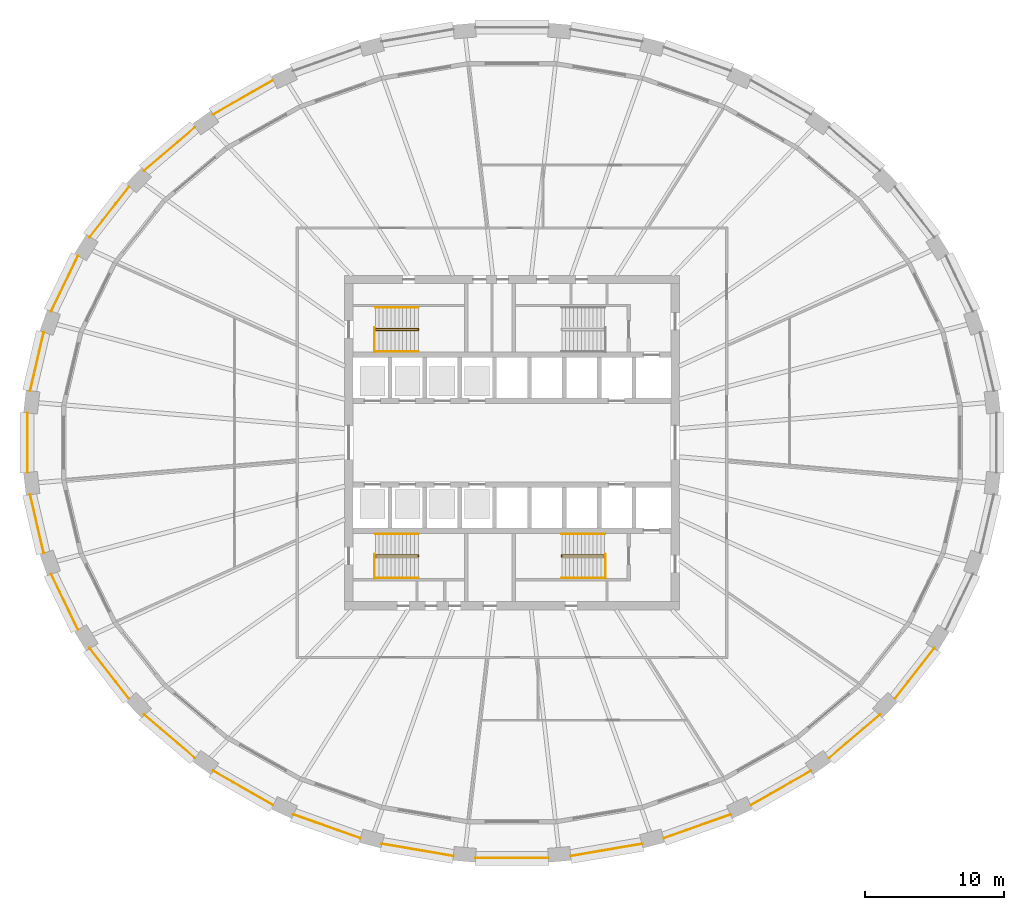
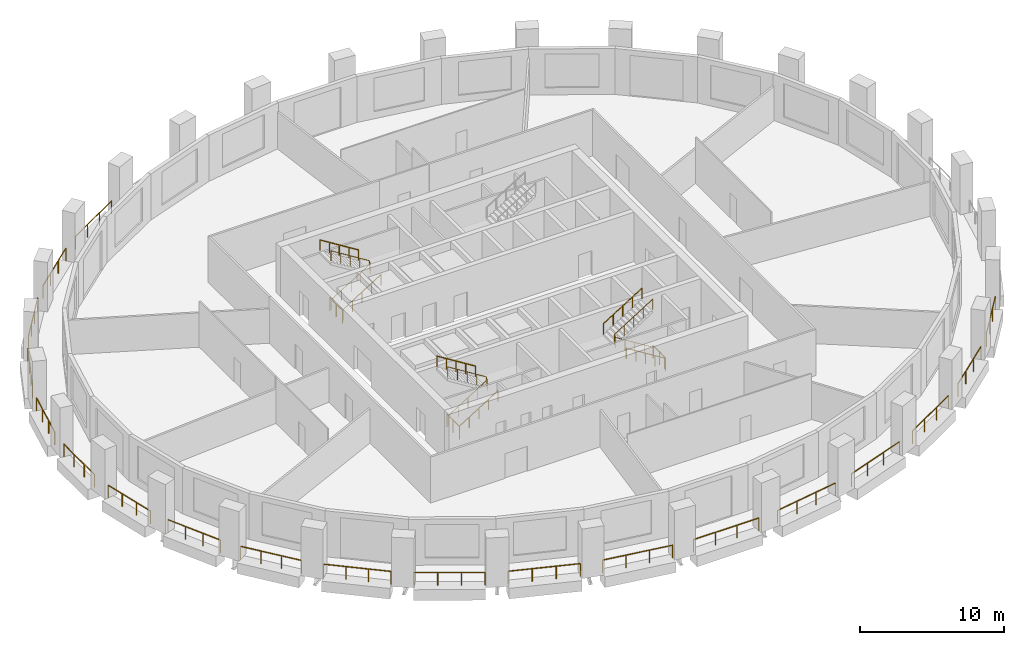
# One storey, part 8 of 10: 31 railings.
"""IFC4 building model written with IfcOpenShell, lengths in metres."""

from ifc_helpers import new_model, si_unit, direction, frame, origin, origin_2d, place, context, subcontext, project, spatial, circle, extrude, material, type_object, element, save


model = new_model("IFC4")

# Units and contexts
model_context = context("Model", 3, precision=1e-05, world=origin(), true_north=direction((0.0, 1.0)))
body_context = subcontext(model_context, "Body", "Model", "MODEL_VIEW")
ifc_project = project(units=[si_unit("LENGTHUNIT", "METRE"), si_unit("AREAUNIT", "SQUARE_METRE"), si_unit("VOLUMEUNIT", "CUBIC_METRE"), si_unit("PLANEANGLEUNIT", "RADIAN"), si_unit("MASSUNIT", "GRAM", prefix="KILO")], contexts=[model_context])

# Site, building, storey
site_placement = place(None, origin())
site = spatial("IfcSite", under=ifc_project, at=site_placement, CompositionType="ELEMENT")
building_placement = place(site_placement, origin())
building = spatial("IfcBuilding", under=site, at=building_placement, Name="Halqa Exchange Tower", CompositionType="ELEMENT")
storey_placement = place(building_placement, frame((0.0, 0.0, 125.5)))
storey = spatial("IfcBuildingStorey", under=building, at=storey_placement, Name="L28", CompositionType="ELEMENT", Elevation=125.5)

# Railings
ifc_material = material(Name="Stainless steel", Category="steel")
railing_type_1 = type_object("IfcRailingType", Name="Guard 1100 stainless steel", PredefinedType="GUARDRAIL", material=ifc_material)
railing_1_placement = place(storey_placement, frame((-17.147216796875, 25.986328125, 0.0)))
element("IfcRailing", 1, at=railing_1_placement, inside=storey, type_object=railing_type_1, Name="Loggia guard 11", PredefinedType="GUARDRAIL", context=body_context, shape_type="SweptSolid", body=[
    extrude(circle(Radius=0.02392578125, at=origin_2d()), frame((0.0, 0.0, 1.076171875), z_axis=(-0.867769821743, -0.496966333338, 0.0), x_axis=(0.496966333338, -0.867769821743, 0.0)), (0.0, 0.0, 1.0), 4.955810546875),
    extrude(circle(Radius=0.02099609375, at=origin_2d()), origin(), (0.0, 0.0, 1.0), 1.052001953125),
    extrude(circle(Radius=0.02099609375, at=origin_2d()), frame((-1.43359375, -0.821044921875, 0.0)), (0.0, 0.0, 1.0), 1.052001953125),
    extrude(circle(Radius=0.02099609375, at=origin_2d()), frame((-2.866943359375, -1.641845703125, 0.0)), (0.0, 0.0, 1.0), 1.052001953125),
    extrude(circle(Radius=0.02099609375, at=origin_2d()), frame((-4.300537109375, -2.462890625, 0.0)), (0.0, 0.0, 1.0), 1.052001953125),
])
railing_2_placement = place(storey_placement, frame((-22.74951171875, 22.605224609375, 0.0)))
element("IfcRailing", 2, at=railing_2_placement, inside=storey, type_object=railing_type_1, Name="Loggia guard 12", PredefinedType="GUARDRAIL", context=body_context, shape_type="SweptSolid", body=[
    extrude(circle(Radius=0.02392578125, at=origin_2d()), frame((0.0, 0.0, 1.076171875), z_axis=(-0.759252991119, -0.650795586553, 0.0), x_axis=(0.650795586553, -0.759252991119, 0.0)), (0.0, 0.0, 1.0), 4.772216796875),
    extrude(circle(Radius=0.02099609375, at=origin_2d()), origin(), (0.0, 0.0, 1.0), 1.052001953125),
    extrude(circle(Radius=0.02099609375, at=origin_2d()), frame((-1.207763671875, -1.03515625, 0.0)), (0.0, 0.0, 1.0), 1.052001953125),
    extrude(circle(Radius=0.02099609375, at=origin_2d()), frame((-2.41552734375, -2.070556640625, 0.0)), (0.0, 0.0, 1.0), 1.052001953125),
    extrude(circle(Radius=0.02099609375, at=origin_2d()), frame((-3.623291015625, -3.105712890625, 0.0)), (0.0, 0.0, 1.0), 1.052001953125),
])
railing_3_placement = place(storey_placement, frame((-27.471923828125, 18.347900390625, 0.0)))
element("IfcRailing", 3, at=railing_3_placement, inside=storey, type_object=railing_type_1, Name="Loggia guard 13", PredefinedType="GUARDRAIL", context=body_context, shape_type="SweptSolid", body=[
    extrude(circle(Radius=0.02392578125, at=origin_2d()), frame((0.0, 0.0, 1.076171875), z_axis=(-0.614803240487, -0.788680528152, 0.0), x_axis=(0.788680528152, -0.614803240487, 0.0)), (0.0, 0.0, 1.0), 4.5830078125),
    extrude(circle(Radius=0.02099609375, at=origin_2d()), origin(), (0.0, 0.0, 1.0), 1.052001953125),
    extrude(circle(Radius=0.02099609375, at=origin_2d()), frame((-0.939208984375, -1.204833984375, 0.0)), (0.0, 0.0, 1.0), 1.052001953125),
    extrude(circle(Radius=0.02099609375, at=origin_2d()), frame((-1.87841796875, -2.40966796875, 0.0)), (0.0, 0.0, 1.0), 1.052001953125),
    extrude(circle(Radius=0.02099609375, at=origin_2d()), frame((-2.817626953125, -3.614501953125, 0.0)), (0.0, 0.0, 1.0), 1.052001953125),
])
railing_4_placement = place(storey_placement, frame((-31.12939453125, 13.382080078125, 0.0)))
element("IfcRailing", 4, at=railing_4_placement, inside=storey, type_object=railing_type_1, Name="Loggia guard 14", PredefinedType="GUARDRAIL", context=body_context, shape_type="SweptSolid", body=[
    extrude(circle(Radius=0.02392578125, at=origin_2d()), frame((0.0, 0.0, 1.076171875), z_axis=(-0.435102953397, -0.900380708337, 0.0), x_axis=(0.900380708337, -0.435102953397, 0.0)), (0.0, 0.0, 1.0), 4.417724609375),
    extrude(circle(Radius=0.02099609375, at=origin_2d()), origin(), (0.0, 0.0, 1.0), 1.052001953125),
    extrude(circle(Radius=0.02099609375, at=origin_2d()), frame((-0.640625, -1.325927734375, 0.0)), (0.0, 0.0, 1.0), 1.052001953125),
    extrude(circle(Radius=0.02099609375, at=origin_2d()), frame((-1.281494140625, -2.651611328125, 0.0)), (0.0, 0.0, 1.0), 1.052001953125),
    extrude(circle(Radius=0.02099609375, at=origin_2d()), frame((-1.922119140625, -3.9775390625, 0.0)), (0.0, 0.0, 1.0), 1.052001953125),
])
railing_5_placement = place(storey_placement, frame((-33.58056640625, 7.905029296875, 0.0)))
element("IfcRailing", 5, at=railing_5_placement, inside=storey, type_object=railing_type_1, Name="Loggia guard 15", PredefinedType="GUARDRAIL", context=body_context, shape_type="SweptSolid", body=[
    extrude(circle(Radius=0.02392578125, at=origin_2d()), frame((0.0, 0.0, 1.076171875), z_axis=(-0.22606051772, -0.974113259497, 0.0), x_axis=(0.974113259497, -0.22606051772, 0.0)), (0.0, 0.0, 1.0), 4.3046875),
    extrude(circle(Radius=0.02099609375, at=origin_2d()), origin(), (0.0, 0.0, 1.0), 1.052001953125),
    extrude(circle(Radius=0.02099609375, at=origin_2d()), frame((-0.324462890625, -1.397705078125, 0.0)), (0.0, 0.0, 1.0), 1.052001953125),
    extrude(circle(Radius=0.02099609375, at=origin_2d()), frame((-0.648681640625, -2.795654296875, 0.0)), (0.0, 0.0, 1.0), 1.052001953125),
    extrude(circle(Radius=0.02099609375, at=origin_2d()), frame((-0.97314453125, -4.193359375, 0.0)), (0.0, 0.0, 1.0), 1.052001953125),
])
railing_6_placement = place(storey_placement, frame((-34.734619140625, 2.13232421875, 0.0)))
element("IfcRailing", 6, at=railing_6_placement, inside=storey, type_object=railing_type_1, Name="Loggia guard 16", PredefinedType="GUARDRAIL", context=body_context, shape_type="SweptSolid", body=[
    extrude(circle(Radius=0.02392578125, at=origin_2d()), frame((0.0, 0.0, 1.076171875), z_axis=(0.0, -1.0, 0.0), x_axis=(1.0, 0.0, 0.0)), (0.0, 0.0, 1.0), 4.2646484375),
    extrude(circle(Radius=0.02099609375, at=origin_2d()), origin(), (0.0, 0.0, 1.0), 1.052001953125),
    extrude(circle(Radius=0.02099609375, at=origin_2d()), frame((0.0, -1.421630859375, 0.0)), (0.0, 0.0, 1.0), 1.052001953125),
    extrude(circle(Radius=0.02099609375, at=origin_2d()), frame((0.0, -2.843017578125, 0.0)), (0.0, 0.0, 1.0), 1.052001953125),
    extrude(circle(Radius=0.02099609375, at=origin_2d()), frame((0.0, -4.2646484375, 0.0)), (0.0, 0.0, 1.0), 1.052001953125),
])
railing_7_placement = place(storey_placement, frame((-34.5537109375, -3.711669921875, 0.0)))
element("IfcRailing", 7, at=railing_7_placement, inside=storey, type_object=railing_type_1, Name="Loggia guard 17", PredefinedType="GUARDRAIL", context=body_context, shape_type="SweptSolid", body=[
    extrude(circle(Radius=0.02392578125, at=origin_2d()), frame((0.0, 0.0, 1.076171875), z_axis=(0.22606051772, -0.974113259497, 0.0), x_axis=(0.974113259497, 0.22606051772, 0.0)), (0.0, 0.0, 1.0), 4.3046875),
    extrude(circle(Radius=0.02099609375, at=origin_2d()), origin(), (0.0, 0.0, 1.0), 1.052001953125),
    extrude(circle(Radius=0.02099609375, at=origin_2d()), frame((0.324462890625, -1.397705078125, 0.0)), (0.0, 0.0, 1.0), 1.052001953125),
    extrude(circle(Radius=0.02099609375, at=origin_2d()), frame((0.648681640625, -2.795654296875, 0.0)), (0.0, 0.0, 1.0), 1.052001953125),
    extrude(circle(Radius=0.02099609375, at=origin_2d()), frame((0.97314453125, -4.193359375, 0.0)), (0.0, 0.0, 1.0), 1.052001953125),
])
railing_8_placement = place(storey_placement, frame((-33.051513671875, -9.404541015625, 0.0)))
element("IfcRailing", 8, at=railing_8_placement, inside=storey, type_object=railing_type_1, Name="Loggia guard 18", PredefinedType="GUARDRAIL", context=body_context, shape_type="SweptSolid", body=[
    extrude(circle(Radius=0.02392578125, at=origin_2d()), frame((0.0, 0.0, 1.076171875), z_axis=(0.435102953397, -0.900380708337, 0.0), x_axis=(0.900380708337, 0.435102953397, 0.0)), (0.0, 0.0, 1.0), 4.417724609375),
    extrude(circle(Radius=0.02099609375, at=origin_2d()), origin(), (0.0, 0.0, 1.0), 1.052001953125),
    extrude(circle(Radius=0.02099609375, at=origin_2d()), frame((0.640625, -1.325927734375, 0.0)), (0.0, 0.0, 1.0), 1.052001953125),
    extrude(circle(Radius=0.02099609375, at=origin_2d()), frame((1.281494140625, -2.651611328125, 0.0)), (0.0, 0.0, 1.0), 1.052001953125),
    extrude(circle(Radius=0.02099609375, at=origin_2d()), frame((1.922119140625, -3.9775390625, 0.0)), (0.0, 0.0, 1.0), 1.052001953125),
])
railing_9_placement = place(storey_placement, frame((-30.28955078125, -14.7333984375, 0.0)))
element("IfcRailing", 9, at=railing_9_placement, inside=storey, type_object=railing_type_1, Name="Loggia guard 19", PredefinedType="GUARDRAIL", context=body_context, shape_type="SweptSolid", body=[
    extrude(circle(Radius=0.02392578125, at=origin_2d()), frame((0.0, 0.0, 1.076171875), z_axis=(0.614803240487, -0.788680528152, 0.0), x_axis=(0.788680528152, 0.614803240487, 0.0)), (0.0, 0.0, 1.0), 4.5830078125),
    extrude(circle(Radius=0.02099609375, at=origin_2d()), origin(), (0.0, 0.0, 1.0), 1.052001953125),
    extrude(circle(Radius=0.02099609375, at=origin_2d()), frame((0.939208984375, -1.204833984375, 0.0)), (0.0, 0.0, 1.0), 1.052001953125),
    extrude(circle(Radius=0.02099609375, at=origin_2d()), frame((1.87841796875, -2.40966796875, 0.0)), (0.0, 0.0, 1.0), 1.052001953125),
    extrude(circle(Radius=0.02099609375, at=origin_2d()), frame((2.817626953125, -3.614501953125, 0.0)), (0.0, 0.0, 1.0), 1.052001953125),
])
railing_10_placement = place(storey_placement, frame((-26.372802734375, -19.49951171875, 0.0)))
element("IfcRailing", 10, at=railing_10_placement, inside=storey, type_object=railing_type_1, Name="Loggia guard 20", PredefinedType="GUARDRAIL", context=body_context, shape_type="SweptSolid", body=[
    extrude(circle(Radius=0.02392578125, at=origin_2d()), frame((0.0, 0.0, 1.076171875), z_axis=(0.759252991119, -0.650795586553, 0.0), x_axis=(0.650795586553, 0.759252991119, 0.0)), (0.0, 0.0, 1.0), 4.772216796875),
    extrude(circle(Radius=0.02099609375, at=origin_2d()), origin(), (0.0, 0.0, 1.0), 1.052001953125),
    extrude(circle(Radius=0.02099609375, at=origin_2d()), frame((1.207763671875, -1.03515625, 0.0)), (0.0, 0.0, 1.0), 1.052001953125),
    extrude(circle(Radius=0.02099609375, at=origin_2d()), frame((2.41552734375, -2.070556640625, 0.0)), (0.0, 0.0, 1.0), 1.052001953125),
    extrude(circle(Radius=0.02099609375, at=origin_2d()), frame((3.623291015625, -3.105712890625, 0.0)), (0.0, 0.0, 1.0), 1.052001953125),
])
railing_11_placement = place(storey_placement, frame((-21.44775390625, -23.5234375, 0.0)))
element("IfcRailing", 11, at=railing_11_placement, inside=storey, type_object=railing_type_1, Name="Loggia guard 21", PredefinedType="GUARDRAIL", context=body_context, shape_type="SweptSolid", body=[
    extrude(circle(Radius=0.02392578125, at=origin_2d()), frame((0.0, 0.0, 1.076171875), z_axis=(0.867769821743, -0.496966333338, 0.0), x_axis=(0.496966333338, 0.867769821743, 0.0)), (0.0, 0.0, 1.0), 4.955810546875),
    extrude(circle(Radius=0.02099609375, at=origin_2d()), origin(), (0.0, 0.0, 1.0), 1.052001953125),
    extrude(circle(Radius=0.02099609375, at=origin_2d()), frame((1.43359375, -0.821044921875, 0.0)), (0.0, 0.0, 1.0), 1.052001953125),
    extrude(circle(Radius=0.02099609375, at=origin_2d()), frame((2.866943359375, -1.641845703125, 0.0)), (0.0, 0.0, 1.0), 1.052001953125),
    extrude(circle(Radius=0.02099609375, at=origin_2d()), frame((4.300537109375, -2.462890625, 0.0)), (0.0, 0.0, 1.0), 1.052001953125),
])
railing_12_placement = place(storey_placement, frame((-15.69921875, -26.651611328125, 0.0)))
element("IfcRailing", 12, at=railing_12_placement, inside=storey, type_object=railing_type_1, Name="Loggia guard 22", PredefinedType="GUARDRAIL", context=body_context, shape_type="SweptSolid", body=[
    extrude(circle(Radius=0.02392578125, at=origin_2d()), frame((0.0, 0.0, 1.076171875), z_axis=(0.942372826022, -0.334564577885, 0.0), x_axis=(0.334564577885, 0.942372826022, 0.0)), (0.0, 0.0, 1.0), 5.108154296875),
    extrude(circle(Radius=0.02099609375, at=origin_2d()), origin(), (0.0, 0.0, 1.0), 1.052001953125),
    extrude(circle(Radius=0.02099609375, at=origin_2d()), frame((1.6044921875, -0.569580078125, 0.0)), (0.0, 0.0, 1.0), 1.052001953125),
    extrude(circle(Radius=0.02099609375, at=origin_2d()), frame((3.209228515625, -1.139404296875, 0.0)), (0.0, 0.0, 1.0), 1.052001953125),
    extrude(circle(Radius=0.02099609375, at=origin_2d()), frame((4.813720703125, -1.708984375, 0.0)), (0.0, 0.0, 1.0), 1.052001953125),
])
railing_13_placement = place(storey_placement, frame((-9.343017578125, -28.7626953125, 0.0)))
element("IfcRailing", 13, at=railing_13_placement, inside=storey, type_object=railing_type_1, Name="Loggia guard 23", PredefinedType="GUARDRAIL", context=body_context, shape_type="SweptSolid", body=[
    extrude(circle(Radius=0.02392578125, at=origin_2d()), frame((0.0, 0.0, 1.076171875), z_axis=(0.985773772555, -0.168077569419, 0.0), x_axis=(0.168077569419, 0.985773772555, 0.0)), (0.0, 0.0, 1.0), 5.207275390625),
    extrude(circle(Radius=0.02099609375, at=origin_2d()), origin(), (0.0, 0.0, 1.0), 1.052001953125),
    extrude(circle(Radius=0.02099609375, at=origin_2d()), frame((1.711181640625, -0.291748046875, 0.0)), (0.0, 0.0, 1.0), 1.052001953125),
    extrude(circle(Radius=0.02099609375, at=origin_2d()), frame((3.422119140625, -0.58349609375, 0.0)), (0.0, 0.0, 1.0), 1.052001953125),
    extrude(circle(Radius=0.02099609375, at=origin_2d()), frame((5.13330078125, -0.875244140625, 0.0)), (0.0, 0.0, 1.0), 1.052001953125),
])
railing_14_placement = place(storey_placement, frame((-2.62109375, -29.7724609375, 0.0)))
element("IfcRailing", 14, at=railing_14_placement, inside=storey, type_object=railing_type_1, Name="Loggia guard 24", PredefinedType="GUARDRAIL", context=body_context, shape_type="SweptSolid", body=[
    extrude(circle(Radius=0.02392578125, at=origin_2d()), frame((0.0, 0.0, 1.076171875), z_axis=(1.0, 0.0, 0.0), x_axis=(0.0, 1.0, 0.0)), (0.0, 0.0, 1.0), 5.2421875),
    extrude(circle(Radius=0.02099609375, at=origin_2d()), origin(), (0.0, 0.0, 1.0), 1.052001953125),
    extrude(circle(Radius=0.02099609375, at=origin_2d()), frame((1.747314453125, 0.0, 0.0)), (0.0, 0.0, 1.0), 1.052001953125),
    extrude(circle(Radius=0.02099609375, at=origin_2d()), frame((3.494873046875, 0.0, 0.0)), (0.0, 0.0, 1.0), 1.052001953125),
    extrude(circle(Radius=0.02099609375, at=origin_2d()), frame((5.2421875, 0.0, 0.0)), (0.0, 0.0, 1.0), 1.052001953125),
])
railing_15_placement = place(storey_placement, frame((4.209716796875, -29.637939453125, 0.0)))
element("IfcRailing", 15, at=railing_15_placement, inside=storey, type_object=railing_type_1, Name="Loggia guard 25", PredefinedType="GUARDRAIL", context=body_context, shape_type="SweptSolid", body=[
    extrude(circle(Radius=0.02392578125, at=origin_2d()), frame((0.0, 0.0, 1.076171875), z_axis=(0.985773772555, 0.168077569419, 0.0), x_axis=(-0.168077569419, 0.985773772555, 0.0)), (0.0, 0.0, 1.0), 5.207275390625),
    extrude(circle(Radius=0.02099609375, at=origin_2d()), origin(), (0.0, 0.0, 1.0), 1.052001953125),
    extrude(circle(Radius=0.02099609375, at=origin_2d()), frame((1.711181640625, 0.291748046875, 0.0)), (0.0, 0.0, 1.0), 1.052001953125),
    extrude(circle(Radius=0.02099609375, at=origin_2d()), frame((3.422119140625, 0.58349609375, 0.0)), (0.0, 0.0, 1.0), 1.052001953125),
    extrude(circle(Radius=0.02099609375, at=origin_2d()), frame((5.13330078125, 0.875244140625, 0.0)), (0.0, 0.0, 1.0), 1.052001953125),
])
railing_16_placement = place(storey_placement, frame((10.885498046875, -28.360595703125, 0.0)))
element("IfcRailing", 16, at=railing_16_placement, inside=storey, type_object=railing_type_1, Name="Loggia guard 26", PredefinedType="GUARDRAIL", context=body_context, shape_type="SweptSolid", body=[
    extrude(circle(Radius=0.02392578125, at=origin_2d()), frame((0.0, 0.0, 1.076171875), z_axis=(0.942372826022, 0.334564577885, 0.0), x_axis=(-0.334564577885, 0.942372826022, 0.0)), (0.0, 0.0, 1.0), 5.108154296875),
    extrude(circle(Radius=0.02099609375, at=origin_2d()), origin(), (0.0, 0.0, 1.0), 1.052001953125),
    extrude(circle(Radius=0.02099609375, at=origin_2d()), frame((1.6044921875, 0.569580078125, 0.0)), (0.0, 0.0, 1.0), 1.052001953125),
    extrude(circle(Radius=0.02099609375, at=origin_2d()), frame((3.209228515625, 1.139404296875, 0.0)), (0.0, 0.0, 1.0), 1.052001953125),
    extrude(circle(Radius=0.02099609375, at=origin_2d()), frame((4.813720703125, 1.708984375, 0.0)), (0.0, 0.0, 1.0), 1.052001953125),
])
railing_17_placement = place(storey_placement, frame((17.147216796875, -25.986328125, 0.0)))
element("IfcRailing", 17, at=railing_17_placement, inside=storey, type_object=railing_type_1, Name="Loggia guard 27", PredefinedType="GUARDRAIL", context=body_context, shape_type="SweptSolid", body=[
    extrude(circle(Radius=0.02392578125, at=origin_2d()), frame((0.0, 0.0, 1.076171875), z_axis=(0.867769821743, 0.496966333338, 0.0), x_axis=(-0.496966333338, 0.867769821743, 0.0)), (0.0, 0.0, 1.0), 4.955810546875),
    extrude(circle(Radius=0.02099609375, at=origin_2d()), origin(), (0.0, 0.0, 1.0), 1.052001953125),
    extrude(circle(Radius=0.02099609375, at=origin_2d()), frame((1.43359375, 0.821044921875, 0.0)), (0.0, 0.0, 1.0), 1.052001953125),
    extrude(circle(Radius=0.02099609375, at=origin_2d()), frame((2.866943359375, 1.641845703125, 0.0)), (0.0, 0.0, 1.0), 1.052001953125),
    extrude(circle(Radius=0.02099609375, at=origin_2d()), frame((4.300537109375, 2.462890625, 0.0)), (0.0, 0.0, 1.0), 1.052001953125),
])
railing_18_placement = place(storey_placement, frame((22.74951171875, -22.605224609375, 0.0)))
element("IfcRailing", 18, at=railing_18_placement, inside=storey, type_object=railing_type_1, Name="Loggia guard 28", PredefinedType="GUARDRAIL", context=body_context, shape_type="SweptSolid", body=[
    extrude(circle(Radius=0.02392578125, at=origin_2d()), frame((0.0, 0.0, 1.076171875), z_axis=(0.759252991119, 0.650795586553, 0.0), x_axis=(-0.650795586553, 0.759252991119, 0.0)), (0.0, 0.0, 1.0), 4.772216796875),
    extrude(circle(Radius=0.02099609375, at=origin_2d()), origin(), (0.0, 0.0, 1.0), 1.052001953125),
    extrude(circle(Radius=0.02099609375, at=origin_2d()), frame((1.207763671875, 1.03515625, 0.0)), (0.0, 0.0, 1.0), 1.052001953125),
    extrude(circle(Radius=0.02099609375, at=origin_2d()), frame((2.41552734375, 2.070556640625, 0.0)), (0.0, 0.0, 1.0), 1.052001953125),
    extrude(circle(Radius=0.02099609375, at=origin_2d()), frame((3.623291015625, 3.105712890625, 0.0)), (0.0, 0.0, 1.0), 1.052001953125),
])
railing_19_placement = place(storey_placement, frame((27.471923828125, -18.347900390625, 0.0)))
element("IfcRailing", 19, at=railing_19_placement, inside=storey, type_object=railing_type_1, Name="Loggia guard 29", PredefinedType="GUARDRAIL", context=body_context, shape_type="SweptSolid", body=[
    extrude(circle(Radius=0.02392578125, at=origin_2d()), frame((0.0, 0.0, 1.076171875), z_axis=(0.614803240487, 0.788680528152, 0.0), x_axis=(-0.788680528152, 0.614803240487, 0.0)), (0.0, 0.0, 1.0), 4.5830078125),
    extrude(circle(Radius=0.02099609375, at=origin_2d()), origin(), (0.0, 0.0, 1.0), 1.052001953125),
    extrude(circle(Radius=0.02099609375, at=origin_2d()), frame((0.939208984375, 1.204833984375, 0.0)), (0.0, 0.0, 1.0), 1.052001953125),
    extrude(circle(Radius=0.02099609375, at=origin_2d()), frame((1.87841796875, 2.40966796875, 0.0)), (0.0, 0.0, 1.0), 1.052001953125),
    extrude(circle(Radius=0.02099609375, at=origin_2d()), frame((2.817626953125, 3.614501953125, 0.0)), (0.0, 0.0, 1.0), 1.052001953125),
])
railing_type_2 = type_object("IfcRailingType", Name="Stair handrail 900", PredefinedType="HANDRAIL", material=ifc_material)
railing_20_placement = place(storey_placement, frame((-9.800048828125, 8.06005859375, 0.175048828125)))
element("IfcRailing", 20, at=railing_20_placement, inside=storey, type_object=railing_type_2, Name="Handrail ST1.1", PredefinedType="HANDRAIL", context=body_context, shape_type="SweptSolid", body=[
    extrude(circle(Radius=0.02392578125, at=origin_2d()), frame((0.0, 0.0, 0.8759765625), z_axis=(0.847998304005, 0.0, 0.529998940003), x_axis=(0.0, 1.0, 0.0)), (0.0, 0.0, 1.0), 3.632080078125),
    extrude(circle(Radius=0.02392578125, at=origin_2d()), frame((3.080078125, 0.0, 2.80078125), z_axis=(0.0, 0.596406559517, 0.802682512433), x_axis=(-1.0, 0.0, 0.0)), (0.0, 0.0, 1.0), 0.2177734375),
    extrude(circle(Radius=0.02392578125, at=origin_2d()), frame((3.080078125, 0.1298828125, 2.9755859375), z_axis=(-0.847998304005, 0.0, 0.529998940003), x_axis=(0.0, -1.0, 0.0)), (0.0, 0.0, 1.0), 3.632080078125),
    extrude(circle(Radius=0.02099609375, at=origin_2d()), origin(), (0.0, 0.0, 1.0), 0.851806640625),
    extrude(circle(Radius=0.02099609375, at=origin_2d()), frame((0.77001953125, 0.0, 0.481201171875)), (0.0, 0.0, 1.0), 0.851806640625),
    extrude(circle(Radius=0.02099609375, at=origin_2d()), frame((1.5400390625, 0.0, 0.96240234375)), (0.0, 0.0, 1.0), 0.851806640625),
    extrude(circle(Radius=0.02099609375, at=origin_2d()), frame((2.31005859375, 0.0, 1.44384765625)), (0.0, 0.0, 1.0), 0.851806640625),
    extrude(circle(Radius=0.02099609375, at=origin_2d()), frame((3.080078125, 0.0, 1.925048828125)), (0.0, 0.0, 1.0), 0.851806640625),
    extrude(circle(Radius=0.02099609375, at=origin_2d()), frame((3.080078125, 0.1298828125, 2.099853515625)), (0.0, 0.0, 1.0), 0.851806640625),
    extrude(circle(Radius=0.02099609375, at=origin_2d()), frame((2.31005859375, 0.1298828125, 2.5810546875)), (0.0, 0.0, 1.0), 0.851806640625),
    extrude(circle(Radius=0.02099609375, at=origin_2d()), frame((1.5400390625, 0.1298828125, 3.0625)), (0.0, 0.0, 1.0), 0.851806640625),
    extrude(circle(Radius=0.02099609375, at=origin_2d()), frame((0.77001953125, 0.1298828125, 3.543701171875)), (0.0, 0.0, 1.0), 0.851806640625),
    extrude(circle(Radius=0.02099609375, at=origin_2d()), frame((0.0, 0.1298828125, 4.02490234375)), (0.0, 0.0, 1.0), 0.851806640625),
])
railing_21_placement = place(storey_placement, frame((-9.800048828125, 6.550048828125, 0.175048828125)))
element("IfcRailing", 21, at=railing_21_placement, inside=storey, type_object=railing_type_2, Name="Handrail ST1.2", PredefinedType="HANDRAIL", context=body_context, shape_type="SweptSolid", body=[
    extrude(circle(Radius=0.02392578125, at=origin_2d()), frame((0.0, 0.0, 0.8759765625), z_axis=(0.847998304005, 0.0, 0.529998940003), x_axis=(0.0, 1.0, 0.0)), (0.0, 0.0, 1.0), 3.632080078125),
    extrude(circle(Radius=0.02099609375, at=origin_2d()), origin(), (0.0, 0.0, 1.0), 0.851806640625),
    extrude(circle(Radius=0.02099609375, at=origin_2d()), frame((0.77001953125, 0.0, 0.481201171875)), (0.0, 0.0, 1.0), 0.851806640625),
    extrude(circle(Radius=0.02099609375, at=origin_2d()), frame((1.5400390625, 0.0, 0.96240234375)), (0.0, 0.0, 1.0), 0.851806640625),
    extrude(circle(Radius=0.02099609375, at=origin_2d()), frame((2.31005859375, 0.0, 1.44384765625)), (0.0, 0.0, 1.0), 0.851806640625),
    extrude(circle(Radius=0.02099609375, at=origin_2d()), frame((3.080078125, 0.0, 1.925048828125)), (0.0, 0.0, 1.0), 0.851806640625),
])
railing_22_placement = place(storey_placement, frame((-6.719970703125, 9.699951171875, 2.27490234375)))
element("IfcRailing", 22, at=railing_22_placement, inside=storey, type_object=railing_type_2, Name="Handrail ST1.3", PredefinedType="HANDRAIL", context=body_context, shape_type="SweptSolid", body=[
    extrude(circle(Radius=0.02392578125, at=origin_2d()), frame((0.0, 0.0, 0.8759765625), z_axis=(-0.847998304005, 0.0, 0.529998940003), x_axis=(0.0, -1.0, 0.0)), (0.0, 0.0, 1.0), 3.632080078125),
    extrude(circle(Radius=0.02099609375, at=origin_2d()), origin(), (0.0, 0.0, 1.0), 0.851806640625),
    extrude(circle(Radius=0.02099609375, at=origin_2d()), frame((-0.77001953125, 0.0, 0.481201171875)), (0.0, 0.0, 1.0), 0.851806640625),
    extrude(circle(Radius=0.02099609375, at=origin_2d()), frame((-1.5400390625, 0.0, 0.96240234375)), (0.0, 0.0, 1.0), 0.851806640625),
    extrude(circle(Radius=0.02099609375, at=origin_2d()), frame((-2.31005859375, 0.0, 1.44384765625)), (0.0, 0.0, 1.0), 0.851806640625),
    extrude(circle(Radius=0.02099609375, at=origin_2d()), frame((-3.080078125, 0.0, 1.925048828125)), (0.0, 0.0, 1.0), 0.851806640625),
])
railing_23_placement = place(storey_placement, frame((-9.800048828125, -8.18994140625, 0.175048828125)))
element("IfcRailing", 23, at=railing_23_placement, inside=storey, type_object=railing_type_2, Name="Handrail ST3.1", PredefinedType="HANDRAIL", context=body_context, shape_type="SweptSolid", body=[
    extrude(circle(Radius=0.02392578125, at=origin_2d()), frame((0.0, 0.0, 0.8759765625), z_axis=(0.847998304005, 0.0, 0.529998940003), x_axis=(0.0, 1.0, 0.0)), (0.0, 0.0, 1.0), 3.632080078125),
    extrude(circle(Radius=0.02392578125, at=origin_2d()), frame((3.080078125, 0.0, 2.80078125), z_axis=(0.0, 0.596406559517, 0.802682512433), x_axis=(-1.0, 0.0, 0.0)), (0.0, 0.0, 1.0), 0.2177734375),
    extrude(circle(Radius=0.02392578125, at=origin_2d()), frame((3.080078125, 0.1298828125, 2.9755859375), z_axis=(-0.847998304005, 0.0, 0.529998940003), x_axis=(0.0, -1.0, 0.0)), (0.0, 0.0, 1.0), 3.632080078125),
    extrude(circle(Radius=0.02099609375, at=origin_2d()), origin(), (0.0, 0.0, 1.0), 0.851806640625),
    extrude(circle(Radius=0.02099609375, at=origin_2d()), frame((0.77001953125, 0.0, 0.481201171875)), (0.0, 0.0, 1.0), 0.851806640625),
    extrude(circle(Radius=0.02099609375, at=origin_2d()), frame((1.5400390625, 0.0, 0.96240234375)), (0.0, 0.0, 1.0), 0.851806640625),
    extrude(circle(Radius=0.02099609375, at=origin_2d()), frame((2.31005859375, 0.0, 1.44384765625)), (0.0, 0.0, 1.0), 0.851806640625),
    extrude(circle(Radius=0.02099609375, at=origin_2d()), frame((3.080078125, 0.0, 1.925048828125)), (0.0, 0.0, 1.0), 0.851806640625),
    extrude(circle(Radius=0.02099609375, at=origin_2d()), frame((3.080078125, 0.1298828125, 2.099853515625)), (0.0, 0.0, 1.0), 0.851806640625),
    extrude(circle(Radius=0.02099609375, at=origin_2d()), frame((2.31005859375, 0.1298828125, 2.5810546875)), (0.0, 0.0, 1.0), 0.851806640625),
    extrude(circle(Radius=0.02099609375, at=origin_2d()), frame((1.5400390625, 0.1298828125, 3.0625)), (0.0, 0.0, 1.0), 0.851806640625),
    extrude(circle(Radius=0.02099609375, at=origin_2d()), frame((0.77001953125, 0.1298828125, 3.543701171875)), (0.0, 0.0, 1.0), 0.851806640625),
    extrude(circle(Radius=0.02099609375, at=origin_2d()), frame((0.0, 0.1298828125, 4.02490234375)), (0.0, 0.0, 1.0), 0.851806640625),
])
railing_24_placement = place(storey_placement, frame((-9.800048828125, -9.699951171875, 0.175048828125)))
element("IfcRailing", 24, at=railing_24_placement, inside=storey, type_object=railing_type_2, Name="Handrail ST3.2", PredefinedType="HANDRAIL", context=body_context, shape_type="SweptSolid", body=[
    extrude(circle(Radius=0.02392578125, at=origin_2d()), frame((0.0, 0.0, 0.8759765625), z_axis=(0.847998304005, 0.0, 0.529998940003), x_axis=(0.0, 1.0, 0.0)), (0.0, 0.0, 1.0), 3.632080078125),
    extrude(circle(Radius=0.02099609375, at=origin_2d()), origin(), (0.0, 0.0, 1.0), 0.851806640625),
    extrude(circle(Radius=0.02099609375, at=origin_2d()), frame((0.77001953125, 0.0, 0.481201171875)), (0.0, 0.0, 1.0), 0.851806640625),
    extrude(circle(Radius=0.02099609375, at=origin_2d()), frame((1.5400390625, 0.0, 0.96240234375)), (0.0, 0.0, 1.0), 0.851806640625),
    extrude(circle(Radius=0.02099609375, at=origin_2d()), frame((2.31005859375, 0.0, 1.44384765625)), (0.0, 0.0, 1.0), 0.851806640625),
    extrude(circle(Radius=0.02099609375, at=origin_2d()), frame((3.080078125, 0.0, 1.925048828125)), (0.0, 0.0, 1.0), 0.851806640625),
])
railing_25_placement = place(storey_placement, frame((-6.719970703125, -6.550048828125, 2.27490234375)))
element("IfcRailing", 25, at=railing_25_placement, inside=storey, type_object=railing_type_2, Name="Handrail ST3.3", PredefinedType="HANDRAIL", context=body_context, shape_type="SweptSolid", body=[
    extrude(circle(Radius=0.02392578125, at=origin_2d()), frame((0.0, 0.0, 0.8759765625), z_axis=(-0.847998304005, 0.0, 0.529998940003), x_axis=(0.0, -1.0, 0.0)), (0.0, 0.0, 1.0), 3.632080078125),
    extrude(circle(Radius=0.02099609375, at=origin_2d()), origin(), (0.0, 0.0, 1.0), 0.851806640625),
    extrude(circle(Radius=0.02099609375, at=origin_2d()), frame((-0.77001953125, 0.0, 0.481201171875)), (0.0, 0.0, 1.0), 0.851806640625),
    extrude(circle(Radius=0.02099609375, at=origin_2d()), frame((-1.5400390625, 0.0, 0.96240234375)), (0.0, 0.0, 1.0), 0.851806640625),
    extrude(circle(Radius=0.02099609375, at=origin_2d()), frame((-2.31005859375, 0.0, 1.44384765625)), (0.0, 0.0, 1.0), 0.851806640625),
    extrude(circle(Radius=0.02099609375, at=origin_2d()), frame((-3.080078125, 0.0, 1.925048828125)), (0.0, 0.0, 1.0), 0.851806640625),
])
railing_26_placement = place(storey_placement, frame((6.64990234375, -8.18994140625, 0.175048828125)))
element("IfcRailing", 26, at=railing_26_placement, inside=storey, type_object=railing_type_2, Name="Handrail ST4.1", PredefinedType="HANDRAIL", context=body_context, shape_type="SweptSolid", body=[
    extrude(circle(Radius=0.02392578125, at=origin_2d()), frame((0.0, 0.0, 0.8759765625), z_axis=(-0.847979421464, 0.0, 0.530029150871), x_axis=(0.0, -1.0, 0.0)), (0.0, 0.0, 1.0), 3.632080078125),
    extrude(circle(Radius=0.02392578125, at=origin_2d()), frame((-3.079833984375, 0.0, 2.80078125), z_axis=(0.0, 0.596406559517, 0.802682512433), x_axis=(-1.0, 0.0, 0.0)), (0.0, 0.0, 1.0), 0.2177734375),
    extrude(circle(Radius=0.02392578125, at=origin_2d()), frame((-3.079833984375, 0.1298828125, 2.9755859375), z_axis=(0.847979421464, 0.0, 0.530029150871), x_axis=(0.0, 1.0, 0.0)), (0.0, 0.0, 1.0), 3.632080078125),
    extrude(circle(Radius=0.02099609375, at=origin_2d()), origin(), (0.0, 0.0, 1.0), 0.851806640625),
    extrude(circle(Radius=0.02099609375, at=origin_2d()), frame((-0.77001953125, 0.0, 0.481201171875)), (0.0, 0.0, 1.0), 0.851806640625),
    extrude(circle(Radius=0.02099609375, at=origin_2d()), frame((-1.5400390625, 0.0, 0.96240234375)), (0.0, 0.0, 1.0), 0.851806640625),
    extrude(circle(Radius=0.02099609375, at=origin_2d()), frame((-2.309814453125, 0.0, 1.44384765625)), (0.0, 0.0, 1.0), 0.851806640625),
    extrude(circle(Radius=0.02099609375, at=origin_2d()), frame((-3.079833984375, 0.0, 1.925048828125)), (0.0, 0.0, 1.0), 0.851806640625),
    extrude(circle(Radius=0.02099609375, at=origin_2d()), frame((-3.079833984375, 0.1298828125, 2.099853515625)), (0.0, 0.0, 1.0), 0.851806640625),
    extrude(circle(Radius=0.02099609375, at=origin_2d()), frame((-2.309814453125, 0.1298828125, 2.5810546875)), (0.0, 0.0, 1.0), 0.851806640625),
    extrude(circle(Radius=0.02099609375, at=origin_2d()), frame((-1.5400390625, 0.1298828125, 3.0625)), (0.0, 0.0, 1.0), 0.851806640625),
    extrude(circle(Radius=0.02099609375, at=origin_2d()), frame((-0.77001953125, 0.1298828125, 3.543701171875)), (0.0, 0.0, 1.0), 0.851806640625),
    extrude(circle(Radius=0.02099609375, at=origin_2d()), frame((0.0, 0.1298828125, 4.02490234375)), (0.0, 0.0, 1.0), 0.851806640625),
])
railing_27_placement = place(storey_placement, frame((6.64990234375, -9.699951171875, 0.175048828125)))
element("IfcRailing", 27, at=railing_27_placement, inside=storey, type_object=railing_type_2, Name="Handrail ST4.2", PredefinedType="HANDRAIL", context=body_context, shape_type="SweptSolid", body=[
    extrude(circle(Radius=0.02392578125, at=origin_2d()), frame((0.0, 0.0, 0.8759765625), z_axis=(-0.847979421464, 0.0, 0.530029150871), x_axis=(0.0, -1.0, 0.0)), (0.0, 0.0, 1.0), 3.632080078125),
    extrude(circle(Radius=0.02099609375, at=origin_2d()), origin(), (0.0, 0.0, 1.0), 0.851806640625),
    extrude(circle(Radius=0.02099609375, at=origin_2d()), frame((-0.77001953125, 0.0, 0.481201171875)), (0.0, 0.0, 1.0), 0.851806640625),
    extrude(circle(Radius=0.02099609375, at=origin_2d()), frame((-1.5400390625, 0.0, 0.96240234375)), (0.0, 0.0, 1.0), 0.851806640625),
    extrude(circle(Radius=0.02099609375, at=origin_2d()), frame((-2.309814453125, 0.0, 1.44384765625)), (0.0, 0.0, 1.0), 0.851806640625),
    extrude(circle(Radius=0.02099609375, at=origin_2d()), frame((-3.079833984375, 0.0, 1.925048828125)), (0.0, 0.0, 1.0), 0.851806640625),
])
railing_28_placement = place(storey_placement, frame((3.570068359375, -6.550048828125, 2.27490234375)))
element("IfcRailing", 28, at=railing_28_placement, inside=storey, type_object=railing_type_2, Name="Handrail ST4.3", PredefinedType="HANDRAIL", context=body_context, shape_type="SweptSolid", body=[
    extrude(circle(Radius=0.02392578125, at=origin_2d()), frame((0.0, 0.0, 0.8759765625), z_axis=(0.847979421464, 0.0, 0.530029150871), x_axis=(0.0, 1.0, 0.0)), (0.0, 0.0, 1.0), 3.632080078125),
    extrude(circle(Radius=0.02099609375, at=origin_2d()), origin(), (0.0, 0.0, 1.0), 0.851806640625),
    extrude(circle(Radius=0.02099609375, at=origin_2d()), frame((0.77001953125, 0.0, 0.481201171875)), (0.0, 0.0, 1.0), 0.851806640625),
    extrude(circle(Radius=0.02099609375, at=origin_2d()), frame((1.5400390625, 0.0, 0.96240234375)), (0.0, 0.0, 1.0), 0.851806640625),
    extrude(circle(Radius=0.02099609375, at=origin_2d()), frame((2.309814453125, 0.0, 1.44384765625)), (0.0, 0.0, 1.0), 0.851806640625),
    extrude(circle(Radius=0.02099609375, at=origin_2d()), frame((3.079833984375, 0.0, 1.925048828125)), (0.0, 0.0, 1.0), 0.851806640625),
])
railing_type_3 = type_object("IfcRailingType", Name="Stair well guard 1100", PredefinedType="GUARDRAIL", material=ifc_material)
for number, where, name in (
    (29, (-9.85009765625, 6.5, 0.0), "Guard ST1 well"),
    (30, (-9.85009765625, -9.75, 0.0), "Guard ST3 well"),
    (31, (6.699951171875, -9.75, 0.0), "Guard ST4 well"),
):
    element("IfcRailing", number, at=place(storey_placement, frame(where)), inside=storey, type_object=railing_type_3, Name=name, PredefinedType="GUARDRAIL", context=body_context, shape_type="SweptSolid", body=[
        extrude(circle(Radius=0.02392578125, at=origin_2d()), frame((0.0, 0.0, 1.076171875), z_axis=(0.0, 1.0, 0.0), x_axis=(-1.0, 0.0, 0.0)), (0.0, 0.0, 1.0), 1.75),
        extrude(circle(Radius=0.02099609375, at=origin_2d()), origin(), (0.0, 0.0, 1.0), 1.052001953125),
        extrude(circle(Radius=0.02099609375, at=origin_2d()), frame((0.0, 0.875, 0.0)), (0.0, 0.0, 1.0), 1.052001953125),
        extrude(circle(Radius=0.02099609375, at=origin_2d()), frame((0.0, 1.75, 0.0)), (0.0, 0.0, 1.0), 1.052001953125),
    ])

save(model, "model.ifc")
